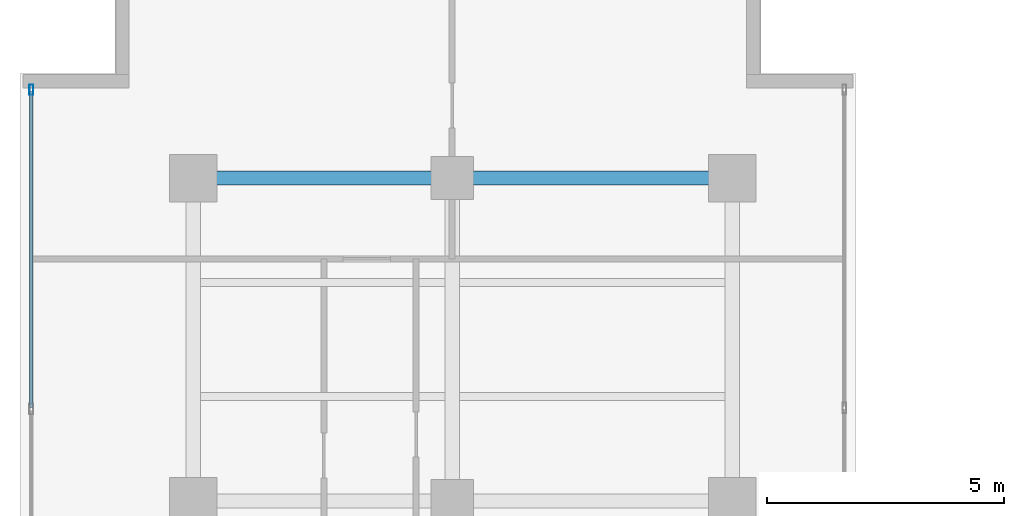
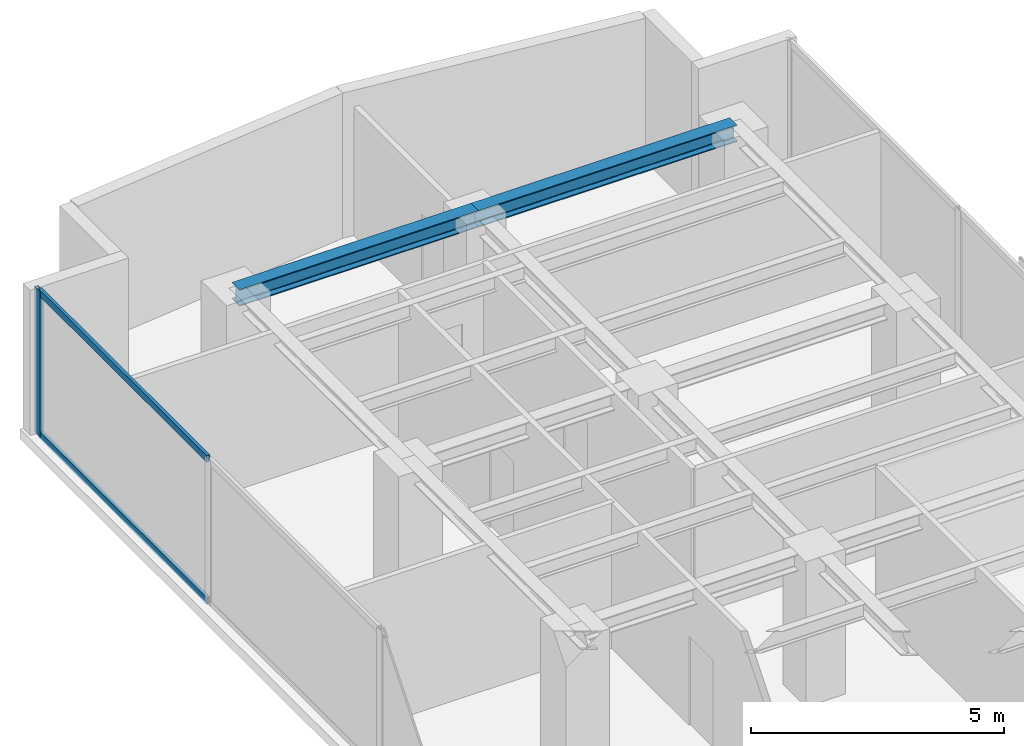
# One storey, part 14 of 22: 3 members, 2 beams, 1 element without a shape of its own.
"""IFC4 building model written with IfcOpenShell, lengths in metres."""

import ifcopenshell
import ifcopenshell.guid

model = None  # the IFC model being written
_history = None  # IfcOwnerHistory: only IFC2X3 demands one
_inside = {}  # id of a spatial element -> (the spatial element, [elements in it])
_under = {}  # id of a project, library or spatial element -> (it, [spatial elements below it])
_declared = {}  # id of a project -> (the project, [libraries it declares])
_typed = {}  # id of a type object -> (the type object, [elements of that type])
_made_of = {}  # id of a material, layer set ... -> (it, [elements and type objects made of it])


def new_model(schema):
    """Start an empty IFC model of exactly this schema.

    Asked for "IFC4X3", IfcOpenShell would pick the latest addendum, in which some entities
    have other attributes; the version numbers below select the first issue.
    IFC2X3 requires an IfcOwnerHistory on every rooted entity: one is made here for all.
    """
    global model, _history
    if schema == "IFC4X3":
        model = ifcopenshell.file(schema_version=(4, 3, 0, 0))
    else:
        model = ifcopenshell.file(schema=schema)
    _inside.clear()
    _under.clear()
    _declared.clear()
    _typed.clear()
    _made_of.clear()
    _history = None
    if model.schema == "IFC2X3":
        org = make("IfcOrganization", Name="unknown")
        user = make(
            "IfcPersonAndOrganization",
            ThePerson=make("IfcPerson", FamilyName="unknown"),
            TheOrganization=org,
        )
        app = make(
            "IfcApplication",
            ApplicationDeveloper=org,
            Version="unknown",
            ApplicationFullName="unknown",
            ApplicationIdentifier="unknown",
        )
        _history = make(
            "IfcOwnerHistory",
            OwningUser=user,
            OwningApplication=app,
            ChangeAction="ADDED",
            CreationDate=0,
        )
    return model


def make(cls, **values):
    """One entity of the class cls with the attributes given. An attribute that is None is left unset."""
    return model.create_entity(
        cls, **{name: value for name, value in values.items() if value is not None}
    )


def rooted(cls, **values):
    """An entity with a GlobalId (a new one), such as an element, a storey or a relation."""
    return make(cls, GlobalId=ifcopenshell.guid.new(), OwnerHistory=_history, **values)


def si_unit(unit_type, name, prefix=None):
    """IfcSIUnit, for example si_unit("LENGTHUNIT", "METRE", prefix="MILLI")."""
    return make("IfcSIUnit", UnitType=unit_type, Prefix=prefix, Name=name)


def assignment(units):
    """IfcUnitAssignment: the units of a project."""
    return None if units is None else make("IfcUnitAssignment", Units=units)


def point(xyz):
    """IfcCartesianPoint."""
    return None if xyz is None else make("IfcCartesianPoint", Coordinates=xyz)


def direction(xyz):
    """IfcDirection."""
    return None if xyz is None else make("IfcDirection", DirectionRatios=xyz)


def frame(location, z_axis=None, x_axis=None):
    """IfcAxis2Placement3D, a coordinate frame: its origin and axes. An axis left out is left unset."""
    return make(
        "IfcAxis2Placement3D",
        Location=point(location),
        Axis=direction(z_axis),
        RefDirection=direction(x_axis),
    )


def frame_2d(location, x_axis=None):
    """IfcAxis2Placement2D, a coordinate frame in the plane: its origin and x axis."""
    return make(
        "IfcAxis2Placement2D", Location=point(location), RefDirection=direction(x_axis)
    )


def origin():
    """The frame at (0, 0, 0) with its axes left unset."""
    return frame((0.0, 0.0, 0.0))


def origin_with_axes():
    """The frame at (0, 0, 0) with the z axis (0, 0, 1) and the x axis (1, 0, 0) written out."""
    return frame((0.0, 0.0, 0.0), z_axis=(0.0, 0.0, 1.0), x_axis=(1.0, 0.0, 0.0))


def origin_2d():
    """The frame at (0, 0) in the plane with its x axis left unset."""
    return frame_2d((0.0, 0.0))


def place(relative_to, where):
    """IfcLocalPlacement: puts the frame where relative to a parent placement (None: the world)."""
    return make(
        "IfcLocalPlacement", PlacementRelTo=relative_to, RelativePlacement=where
    )


def context(
    kind, dimensions, precision=None, world=None, true_north=None, identifier=None
):
    """IfcGeometricRepresentationContext, for example the 3D "Model" context."""
    return make(
        "IfcGeometricRepresentationContext",
        ContextIdentifier=identifier,
        ContextType=kind,
        CoordinateSpaceDimension=dimensions,
        Precision=precision,
        WorldCoordinateSystem=world,
        TrueNorth=true_north,
    )


def subcontext(parent, identifier, kind, view, scale=None):
    """IfcGeometricRepresentationSubContext, for example "Body" below "Model"."""
    return make(
        "IfcGeometricRepresentationSubContext",
        ContextIdentifier=identifier,
        ContextType=kind,
        ParentContext=parent,
        TargetScale=scale,
        TargetView=view,
    )


def project(units=None, contexts=None):
    """IfcProject with its units and contexts."""
    return rooted(
        "IfcProject",
        Name="project",
        RepresentationContexts=contexts,
        UnitsInContext=assignment(units),
    )


def spatial(cls, under=None, at=None, **own):
    """A site, building, storey or space (cls), placed at a placement, below another one or the project."""
    s = rooted(cls, ObjectPlacement=at, **own)
    if under is not None:
        _under.setdefault(under.id(), (under, []))[1].append(s)
    return s


def profile(cls, at=None, kind="AREA", **sizes):
    """A parametric profile (cls). Its sizes go by their IFC names, for example OverallWidth=200.0."""
    return make(cls, ProfileType=kind, Position=at, **sizes)


def hollow_rectangle(**sizes):
    """IfcRectangleHollowProfileDef."""
    return profile("IfcRectangleHollowProfileDef", **sizes)


def i_section(**sizes):
    """IfcIShapeProfileDef."""
    return profile("IfcIShapeProfileDef", **sizes)


def extrude(swept, where, along, depth):
    """IfcExtrudedAreaSolid: the profile swept, set in the frame where, extruded along a direction by depth."""
    return make(
        "IfcExtrudedAreaSolid",
        SweptArea=swept,
        Position=where,
        ExtrudedDirection=direction(along),
        Depth=depth,
    )


def shape(context_of_items, identifier, shape_type, items):
    """IfcShapeRepresentation: the items that make up one representation, for example the "Body"."""
    return make(
        "IfcShapeRepresentation",
        ContextOfItems=context_of_items,
        RepresentationIdentifier=identifier,
        RepresentationType=shape_type,
        Items=items,
    )


def source(mapping_origin, context_of_items, identifier, shape_type, items):
    """IfcRepresentationMap: a shape defined once, which mapped items show again and again."""
    return make(
        "IfcRepresentationMap",
        MappingOrigin=mapping_origin,
        MappedRepresentation=shape(context_of_items, identifier, shape_type, items),
    )


def transform(
    local_origin,
    x_axis=None,
    y_axis=None,
    z_axis=None,
    scale=None,
    scale2=None,
    scale3=None,
    uniform=True,
):
    """IfcCartesianTransformationOperator3D, or its non-uniform kind. x_axis, y_axis, z_axis: its Axis1, 2, 3."""
    if uniform:
        return make(
            "IfcCartesianTransformationOperator3D",
            Axis1=direction(x_axis),
            Axis2=direction(y_axis),
            LocalOrigin=point(local_origin),
            Scale=scale,
            Axis3=direction(z_axis),
        )
    return make(
        "IfcCartesianTransformationOperator3DnonUniform",
        Axis1=direction(x_axis),
        Axis2=direction(y_axis),
        LocalOrigin=point(local_origin),
        Scale=scale,
        Axis3=direction(z_axis),
        Scale2=scale2,
        Scale3=scale3,
    )


def mapped(mapping_source, mapping_target):
    """IfcMappedItem: shows the shape of a source again, moved by a transform."""
    return make(
        "IfcMappedItem", MappingSource=mapping_source, MappingTarget=mapping_target
    )


def material(Name=None, Category=None):
    """IfcMaterial."""
    return make("IfcMaterial", Name=Name, Category=Category)


def layer(
    of_material, thickness, ventilated=None, Name=None, Category=None, Priority=None
):
    """IfcMaterialLayer: one layer of a wall or slab, of a material (None: an air gap)."""
    return make(
        "IfcMaterialLayer",
        Material=of_material,
        LayerThickness=thickness,
        IsVentilated=ventilated,
        Name=Name,
        Category=Category,
        Priority=Priority,
    )


def layer_set(layers, Name=None):
    """IfcMaterialLayerSet."""
    return make("IfcMaterialLayerSet", MaterialLayers=layers, LayerSetName=Name)


def material_profile(
    of_material, cross_section, Name=None, Category=None, Priority=None
):
    """IfcMaterialProfile: a cross section and its material."""
    return make(
        "IfcMaterialProfile",
        Name=Name,
        Material=of_material,
        Profile=cross_section,
        Priority=Priority,
        Category=Category,
    )


def profile_set(profiles, Name=None, composite=None):
    """IfcMaterialProfileSet."""
    return make(
        "IfcMaterialProfileSet",
        Name=Name,
        MaterialProfiles=profiles,
        CompositeProfile=composite,
    )


def made_of(thing, what):
    """Note that an element or type object is made of a material, layer set ...; save() writes the relation."""
    if what is not None:
        _made_of.setdefault(what.id(), (what, []))[1].append(thing)
    return thing


def type_object(cls, material=None, **own):
    """A type object (cls), such as IfcWallType, which elements share."""
    return made_of(rooted(cls, **own), material)


def element(
    cls,
    number,
    at=None,
    inside=None,
    cuts=None,
    type_object=None,
    material=None,
    context=None,
    identifier="Body",
    shape_type=None,
    held_by="IfcProductDefinitionShape",
    body=None,
    shapes=None,
    **own,
):
    """One element of the class cls, such as IfcWall. Its Tag is "e" and its number.

    at: its placement. inside: the storey or other place that contains it. cuts: it is an
    opening in that element (IfcRelVoidsElement). A single representation is given by context,
    identifier, shape_type and body (its items); several are given by shapes. held_by: the class
    of the entity that holds the representations. save() writes the other relations.
    """
    e = rooted(cls, Tag="e%d" % number, ObjectPlacement=at, **own)
    if body is not None:
        shapes = [shape(context, identifier, shape_type, body)]
    if shapes is not None:
        e.Representation = make(held_by, Representations=shapes)
    if inside is not None:
        _inside.setdefault(inside.id(), (inside, []))[1].append(e)
    if cuts is not None:
        rooted(
            "IfcRelVoidsElement", RelatingBuildingElement=cuts, RelatedOpeningElement=e
        )
    if type_object is not None:
        _typed.setdefault(type_object.id(), (type_object, []))[1].append(e)
    return made_of(e, material)


def aggregate(whole, parts):
    """IfcRelAggregates: a whole, such as a stair, and the parts it consists of."""
    return rooted("IfcRelAggregates", RelatingObject=whole, RelatedObjects=parts)


def save(model, path):
    """Write the relations noted so far, then the file.

    IfcRelAggregates (storeys below a building ...), IfcRelContainedInSpatialStructure (elements
    in a storey), IfcRelDefinesByType, IfcRelAssociatesMaterial and IfcRelDeclares: one each for
    every whole, place, type object, material and project.
    """
    for whole, parts in _under.values():
        aggregate(whole, parts)
    for where, things in _inside.values():
        rooted(
            "IfcRelContainedInSpatialStructure",
            RelatedElements=things,
            RelatingStructure=where,
        )
    for kind, things in _typed.values():
        rooted("IfcRelDefinesByType", RelatedObjects=things, RelatingType=kind)
    for what, things in _made_of.values():
        rooted("IfcRelAssociatesMaterial", RelatedObjects=things, RelatingMaterial=what)
    for by, libraries in _declared.values():
        rooted("IfcRelDeclares", RelatingContext=by, RelatedDefinitions=libraries)
    model.write(path)


model = new_model("IFC4")

# Units and contexts
model_context = context("Model", 3, precision=1e-05, world=origin(), true_north=direction((0.0, 1.0)))
body_context = subcontext(model_context, "Body", "Model", "MODEL_VIEW")
ifc_project = project(units=[si_unit("LENGTHUNIT", "METRE"), si_unit("AREAUNIT", "SQUARE_METRE"), si_unit("VOLUMEUNIT", "CUBIC_METRE"), si_unit("PLANEANGLEUNIT", "RADIAN"), si_unit("MASSUNIT", "GRAM", prefix="KILO")], contexts=[model_context])

# Site, building, storey
site_placement = place(None, origin())
site = spatial("IfcSite", under=ifc_project, at=site_placement, CompositionType="ELEMENT")
building_placement = place(site_placement, origin())
building = spatial("IfcBuilding", under=site, at=building_placement, Name="Kolvaren Waterfront Exchange", CompositionType="ELEMENT")
storey_placement = place(building_placement, frame((0.0, 0.0, 219.699951171875)))
storey = spatial("IfcBuildingStorey", under=building, at=storey_placement, Name="L56", CompositionType="ELEMENT", Elevation=219.699951171875)

# Beams
ifc_material_1 = material(Name="Steel S355", Category="steel")
ifc_material_profile_1 = material_profile(ifc_material_1, i_section(OverallWidth=0.300048828125, OverallDepth=0.39990234375, WebThickness=0.013427734375, FlangeThickness=0.02392578125, FilletRadius=0.027099609375, at=origin_2d()), Name="HEB400")
ifc_profile_set_1 = profile_set([ifc_material_profile_1], Name="Steel S355")
beam_type = type_object("IfcBeamType", Name="STR-BM-HEB400", PredefinedType="BEAM", material=ifc_profile_set_1)
beam_1_placement = place(storey_placement, frame((7.449951171875, 44.60009765625, 3.300048828125), z_axis=(1.0, 0.0, 0.0), x_axis=(0.0, 1.0, 0.0)))
element("IfcBeam", 1, at=beam_1_placement, inside=storey, type_object=beam_type, Name="L56 north-arm girder 4A", PredefinedType="BEAM", context=body_context, shape_type="SweptSolid", body=[
    extrude(i_section(OverallWidth=0.300048828125, OverallDepth=0.39990234375, WebThickness=0.013427734375, FlangeThickness=0.02392578125, FilletRadius=0.027099609375, at=origin_2d()), origin(), (0.0, 0.0, 1.0), 5.449951171875),
])
beam_2_placement = place(storey_placement, frame((12.89990234375, 44.60009765625, 3.300048828125), z_axis=(1.0, 0.0, 0.0), x_axis=(0.0, 1.0, 0.0)))
element("IfcBeam", 2, at=beam_2_placement, inside=storey, type_object=beam_type, Name="L56 north-arm girder 4B", PredefinedType="BEAM", context=body_context, shape_type="SweptSolid", body=[
    extrude(i_section(OverallWidth=0.300048828125, OverallDepth=0.39990234375, WebThickness=0.013427734375, FlangeThickness=0.02392578125, FilletRadius=0.027099609375, at=origin_2d()), origin(), (0.0, 0.0, 1.0), 5.900146484375),
])

# Curtain wall, members
ifc_material_2 = material(Name="Anodised aluminium 6063-T6", Category="aluminium")
ifc_layer = layer(ifc_material_2, 0.219970703125, Name="Anodised aluminium 6063-T6")
ifc_layer_set = layer_set([ifc_layer], Name="Anodised aluminium 6063-T6")
curtain_wall_type = type_object("IfcCurtainWallType", Name="ARC-CW-SYS2", PredefinedType="USERDEFINED", material=ifc_layer_set)
curtain_wall_placement = place(storey_placement, origin())
curtain_wall = element("IfcCurtainWall", 3, at=curtain_wall_placement, inside=storey, type_object=curtain_wall_type, Name="L56 stick curtain wall CW2 (CW-L56-W)", ObjectType="STICK CURTAIN WALL", PredefinedType="USERDEFINED")
ifc_material_profile_2 = material_profile(ifc_material_2, hollow_rectangle(XDim=0.080078125, YDim=0.219970703125, WallThickness=0.0048828125, at=origin_2d()), Name="ALU-MUL-220x80x5")
ifc_profile_set_2 = profile_set([ifc_material_profile_2], Name="Anodised aluminium 6063-T6")
member_type_1 = type_object("IfcMemberType", Name="ARC-CWM-220", PredefinedType="MULLION", material=ifc_profile_set_2)
shared_shape_1 = source(origin_with_axes(), body_context, "Body", "SweptSolid", [
    extrude(hollow_rectangle(XDim=0.080078125, YDim=0.219970703125, WallThickness=0.0048828125, at=origin_2d()), origin(), (0.0, 0.0, 1.0), 3.5),
])
member_1_placement = place(storey_placement, frame((4.0400390625, 46.4599609375, 0.0), z_axis=(0.0, 0.0, 1.0), x_axis=(-1.0, 0.0, 0.0)))
member_1 = element("IfcMember", 4, at=member_1_placement, type_object=member_type_1, Name="CW2 mullion 7", PredefinedType="MULLION", context=body_context, shape_type="MappedRepresentation", body=[
    mapped(shared_shape_1, transform((0.0, 0.0, 0.0), x_axis=(1.0, 0.0, 0.0), y_axis=(0.0, 1.0, 0.0), z_axis=(0.0, 0.0, 1.0), scale=1.0)),
])
ifc_material_profile_3 = material_profile(ifc_material_2, hollow_rectangle(XDim=0.074951171875, YDim=0.159912109375, WallThickness=0.00439453125, at=origin_2d()), Name="ALU-TRN-160x75x4.5")
ifc_profile_set_3 = profile_set([ifc_material_profile_3], Name="Anodised aluminium 6063-T6")
member_type_2 = type_object("IfcMemberType", Name="ARC-CWT-160", PredefinedType="USERDEFINED", material=ifc_profile_set_3)
shared_shape_2 = source(origin_with_axes(), body_context, "Body", "SweptSolid", [
    extrude(hollow_rectangle(XDim=0.074951171875, YDim=0.159912109375, WallThickness=0.00439453125, at=origin_2d()), origin(), (0.0, 0.0, 1.0), 6.646484375),
])
member_2_placement = place(storey_placement, frame((4.0400390625, 39.7734375, 0.03759765625), z_axis=(0.0, 1.0, 0.0), x_axis=(-1.0, 0.0, 0.0)))
member_2 = element("IfcMember", 5, at=member_2_placement, type_object=member_type_2, Name="CW2 transom 6.1", ObjectType="TRANSOM", PredefinedType="USERDEFINED", context=body_context, shape_type="MappedRepresentation", body=[
    mapped(shared_shape_2, transform((0.0, 0.0, 0.0), x_axis=(1.0, 0.0, 0.0), y_axis=(0.0, 1.0, 0.0), z_axis=(0.0, 0.0, 1.0), scale=1.0)),
])
member_3_placement = place(storey_placement, frame((4.0400390625, 39.7734375, 3.462646484375), z_axis=(0.0, 1.0, 0.0), x_axis=(-1.0, 0.0, 0.0)))
member_3 = element("IfcMember", 6, at=member_3_placement, type_object=member_type_2, Name="CW2 transom 6.2", ObjectType="TRANSOM", PredefinedType="USERDEFINED", context=body_context, shape_type="MappedRepresentation", body=[
    mapped(shared_shape_2, transform((0.0, 0.0, 0.0), x_axis=(1.0, 0.0, 0.0), y_axis=(0.0, 1.0, 0.0), z_axis=(0.0, 0.0, 1.0), scale=1.0)),
])
aggregate(curtain_wall, [member_1, member_2, member_3])

save(model, "model.ifc")
